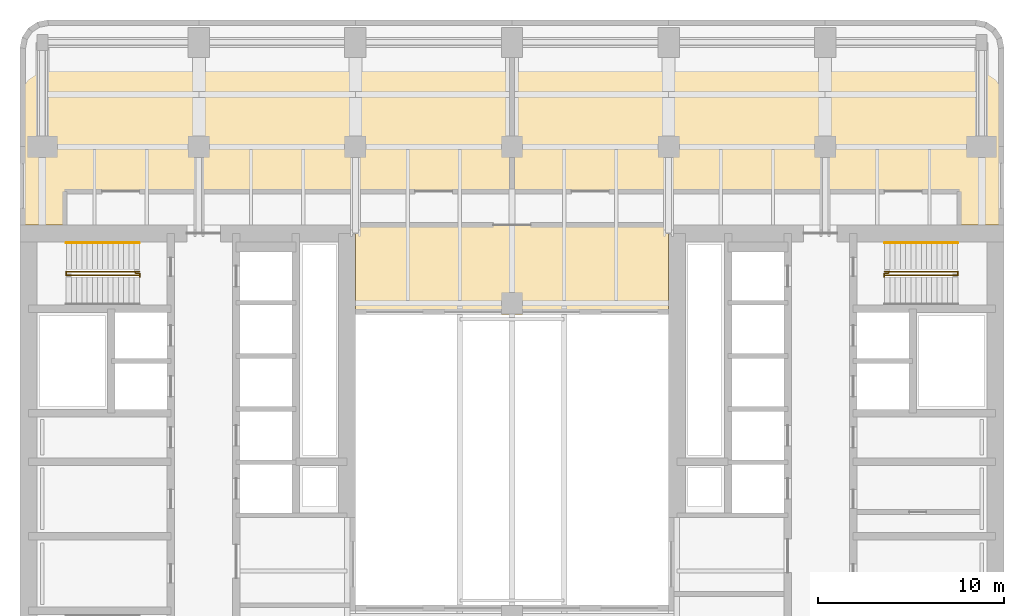
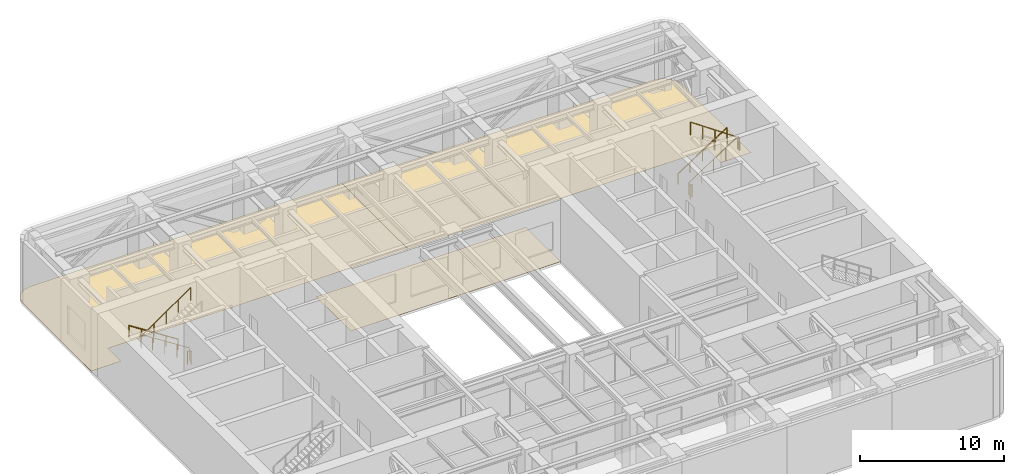
# One storey, part 10 of 10: 6 railings, 3 coverings.
"""IFC4 building model written with IfcOpenShell, lengths in metres."""

from ifc_helpers import new_model, si_unit, direction, frame, origin, origin_2d, place, context, subcontext, project, spatial, polyline, circle, outline, extrude, material, layer, layer_set, type_object, element, save


model = new_model("IFC4")

# Units and contexts
model_context = context("Model", 3, precision=1e-05, world=origin(), true_north=direction((0.0, 1.0)))
body_context = subcontext(model_context, "Body", "Model", "MODEL_VIEW")
ifc_project = project(units=[si_unit("LENGTHUNIT", "METRE"), si_unit("AREAUNIT", "SQUARE_METRE"), si_unit("VOLUMEUNIT", "CUBIC_METRE"), si_unit("PLANEANGLEUNIT", "RADIAN"), si_unit("MASSUNIT", "GRAM", prefix="KILO")], contexts=[model_context])

# Site, building, storey
site_placement = place(None, origin())
site = spatial("IfcSite", under=ifc_project, at=site_placement, CompositionType="ELEMENT")
building_placement = place(site_placement, origin())
building = spatial("IfcBuilding", under=site, at=building_placement, Name="Claustro Exchange Tower", CompositionType="ELEMENT")
storey_placement = place(building_placement, frame((0.0, 0.0, 168.0)))
storey = spatial("IfcBuildingStorey", under=building, at=storey_placement, Name="L38", CompositionType="ELEMENT", Elevation=168.0)

# Coverings
ifc_material_1 = material(Name="Epoxy resin floor finish", Category="resin")
ifc_layer = layer(ifc_material_1, 0.006103515625)
ifc_layer_set = layer_set([ifc_layer], Name="Epoxy resin floor finish")
covering_type = type_object("IfcCoveringType", Name="FL2 resin plant room floor", PredefinedType="FLOORING", material=ifc_layer_set)
covering_1_placement = place(storey_placement, origin())
element("IfcCovering", 1, at=covering_1_placement, inside=storey, type_object=covering_type, Name="Resin floor FL2 L38-08", PredefinedType="FLOORING", context=body_context, shape_type="SweptSolid", body=[
    extrude(outline(polyline([(33.60009765625, 33.0), (33.60009765625, 37.800048828125), (16.800048828125, 37.800048828125), (16.800048828125, 33.0), (33.60009765625, 33.0)])), origin(), (0.0, 0.0, 1.0), 0.006103515625),
])
covering_2_placement = place(storey_placement, origin())
element("IfcCovering", 2, at=covering_2_placement, inside=storey, type_object=covering_type, Name="Resin floor FL2 L38-10", PredefinedType="FLOORING", context=body_context, shape_type="SweptSolid", body=[
    extrude(outline(polyline([(-1.199951171875, 47.300048828125), (-1.199951171875, 37.800048828125), (1.199951171875, 37.800048828125), (1.199951171875, 39.60009765625), (25.199951171875, 39.60009765625), (25.199951171875, 48.800048828125), (0.300048828125, 48.800048828125), (-0.27392578125, 48.685791015625), (-0.7607421875, 48.360595703125), (-1.085693359375, 47.8740234375), (-1.199951171875, 47.300048828125)])), origin(), (0.0, 0.0, 1.0), 0.006103515625),
])
covering_3_placement = place(storey_placement, origin())
element("IfcCovering", 3, at=covering_3_placement, inside=storey, type_object=covering_type, Name="Resin floor FL2 L38-11", PredefinedType="FLOORING", context=body_context, shape_type="SweptSolid", body=[
    extrude(outline(polyline([(50.10009765625, 48.800048828125), (25.199951171875, 48.800048828125), (25.199951171875, 39.60009765625), (49.199951171875, 39.60009765625), (49.199951171875, 37.800048828125), (51.60009765625, 37.800048828125), (51.60009765625, 47.300048828125), (51.48583984375, 47.8740234375), (51.16064453125, 48.360595703125), (50.674072265625, 48.685791015625), (50.10009765625, 48.800048828125)])), origin(), (0.0, 0.0, 1.0), 0.006103515625),
])

# Railings
ifc_material_2 = material(Name="Steel balustrade, painted", Category="steel")
railing_type_1 = type_object("IfcRailingType", Name="GR2 1100 steel stair guard", PredefinedType="GUARDRAIL", material=ifc_material_2)
railing_1_placement = place(storey_placement, frame((5.199951171875, 35.300048828125, 0.179931640625)))
element("IfcRailing", 4, at=railing_1_placement, inside=storey, type_object=railing_type_1, Name="Stair well guard GR2 stair STWB L38", PredefinedType="GUARDRAIL", context=body_context, shape_type="SweptSolid", body=[
    extrude(circle(Radius=0.02392578125, at=origin_2d()), frame((0.0, 0.0, 1.076171875), z_axis=(-0.841171666519, 0.0, 0.540768182723), x_axis=(0.0, -1.0, 0.0)), (0.0, 0.0, 1.0), 4.66015625),
    extrude(circle(Radius=0.02392578125, at=origin_2d()), frame((-3.919921875, 0.0, 3.59619140625), z_axis=(0.0, -1.0, 0.0), x_axis=(1.0, 0.0, 0.0)), (0.0, 0.0, 1.0), 0.199951171875),
    extrude(circle(Radius=0.02392578125, at=origin_2d()), frame((-3.919921875, -0.199951171875, 3.59619140625), z_axis=(0.823550731654, 0.0, 0.567242622158), x_axis=(0.0, 1.0, 0.0)), (0.0, 0.0, 1.0), 4.759765625),
    extrude(circle(Radius=0.02099609375, at=origin_2d()), origin(), (0.0, 0.0, 1.0), 1.052001953125),
    extrude(circle(Radius=0.02099609375, at=origin_2d()), frame((-0.97998046875, 0.0, 0.6298828125)), (0.0, 0.0, 1.0), 1.052001953125),
    extrude(circle(Radius=0.02099609375, at=origin_2d()), frame((-1.9599609375, 0.0, 1.260009765625)), (0.0, 0.0, 1.0), 1.052001953125),
    extrude(circle(Radius=0.02099609375, at=origin_2d()), frame((-2.93994140625, 0.0, 1.89013671875)), (0.0, 0.0, 1.0), 1.052001953125),
    extrude(circle(Radius=0.02099609375, at=origin_2d()), frame((-3.919921875, 0.0, 2.52001953125)), (0.0, 0.0, 1.0), 1.052001953125),
    extrude(circle(Radius=0.02099609375, at=origin_2d()), frame((-3.919921875, -0.199951171875, 2.52001953125)), (0.0, 0.0, 1.0), 1.052001953125),
    extrude(circle(Radius=0.02099609375, at=origin_2d()), frame((-2.93994140625, -0.199951171875, 3.195068359375)), (0.0, 0.0, 1.0), 1.052001953125),
    extrude(circle(Radius=0.02099609375, at=origin_2d()), frame((-1.9599609375, -0.199951171875, 3.8701171875)), (0.0, 0.0, 1.0), 1.052001953125),
    extrude(circle(Radius=0.02099609375, at=origin_2d()), frame((-0.97998046875, -0.199951171875, 4.544921875)), (0.0, 0.0, 1.0), 1.052001953125),
    extrude(circle(Radius=0.02099609375, at=origin_2d()), frame((0.0, -0.199951171875, 5.219970703125)), (0.0, 0.0, 1.0), 1.052001953125),
])
railing_2_placement = place(storey_placement, frame((5.0, 35.22998046875, 0.0)))
element("IfcRailing", 5, at=railing_2_placement, inside=storey, type_object=railing_type_1, Name="Stair guard GR2 STWB L38", PredefinedType="GUARDRAIL", context=body_context, shape_type="SweptSolid", body=[
    extrude(circle(Radius=0.02392578125, at=origin_2d()), frame((0.0, 0.0, 1.076171875), z_axis=(0.0, -1.0, 0.0), x_axis=(1.0, 0.0, 0.0)), (0.0, 0.0, 1.0), 0.030029296875),
    extrude(circle(Radius=0.02392578125, at=origin_2d()), frame((0.0, -0.030029296875, 1.076171875), z_axis=(1.0, 0.0, 0.0), x_axis=(0.0, 1.0, 0.0)), (0.0, 0.0, 1.0), 0.22509765625),
    extrude(circle(Radius=0.02392578125, at=origin_2d()), frame((0.22509765625, -0.030029296875, 1.076171875), z_axis=(0.0, -1.0, 0.0), x_axis=(1.0, 0.0, 0.0)), (0.0, 0.0, 1.0), 0.179931640625),
    extrude(circle(Radius=0.02099609375, at=origin_2d()), origin(), (0.0, 0.0, 1.0), 1.052001953125),
    extrude(circle(Radius=0.02099609375, at=origin_2d()), frame((0.0, -0.030029296875, 0.0)), (0.0, 0.0, 1.0), 1.052001953125),
    extrude(circle(Radius=0.02099609375, at=origin_2d()), frame((0.22509765625, -0.030029296875, 0.0)), (0.0, 0.0, 1.0), 1.052001953125),
    extrude(circle(Radius=0.02099609375, at=origin_2d()), frame((0.22509765625, -0.2099609375, 0.0)), (0.0, 0.0, 1.0), 1.052001953125),
])
railing_3_placement = place(storey_placement, frame((45.199951171875, 35.300048828125, 0.179931640625)))
element("IfcRailing", 6, at=railing_3_placement, inside=storey, type_object=railing_type_1, Name="Stair well guard GR2 stair STEB L38", PredefinedType="GUARDRAIL", context=body_context, shape_type="SweptSolid", body=[
    extrude(circle(Radius=0.02392578125, at=origin_2d()), frame((0.0, 0.0, 1.076171875), z_axis=(0.841186985886, 0.0, 0.540744352514), x_axis=(0.0, 1.0, 0.0)), (0.0, 0.0, 1.0), 4.660400390625),
    extrude(circle(Radius=0.02392578125, at=origin_2d()), frame((3.920166015625, 0.0, 3.59619140625), z_axis=(0.0, -1.0, 0.0), x_axis=(1.0, 0.0, 0.0)), (0.0, 0.0, 1.0), 0.199951171875),
    extrude(circle(Radius=0.02392578125, at=origin_2d()), frame((3.920166015625, -0.199951171875, 3.59619140625), z_axis=(-0.823567234665, 0.0, 0.567218661528), x_axis=(0.0, -1.0, 0.0)), (0.0, 0.0, 1.0), 4.760009765625),
    extrude(circle(Radius=0.02099609375, at=origin_2d()), origin(), (0.0, 0.0, 1.0), 1.052001953125),
    extrude(circle(Radius=0.02099609375, at=origin_2d()), frame((0.97998046875, 0.0, 0.6298828125)), (0.0, 0.0, 1.0), 1.052001953125),
    extrude(circle(Radius=0.02099609375, at=origin_2d()), frame((1.9599609375, 0.0, 1.260009765625)), (0.0, 0.0, 1.0), 1.052001953125),
    extrude(circle(Radius=0.02099609375, at=origin_2d()), frame((2.940185546875, 0.0, 1.89013671875)), (0.0, 0.0, 1.0), 1.052001953125),
    extrude(circle(Radius=0.02099609375, at=origin_2d()), frame((3.920166015625, 0.0, 2.52001953125)), (0.0, 0.0, 1.0), 1.052001953125),
    extrude(circle(Radius=0.02099609375, at=origin_2d()), frame((3.920166015625, -0.199951171875, 2.52001953125)), (0.0, 0.0, 1.0), 1.052001953125),
    extrude(circle(Radius=0.02099609375, at=origin_2d()), frame((2.940185546875, -0.199951171875, 3.195068359375)), (0.0, 0.0, 1.0), 1.052001953125),
    extrude(circle(Radius=0.02099609375, at=origin_2d()), frame((1.9599609375, -0.199951171875, 3.8701171875)), (0.0, 0.0, 1.0), 1.052001953125),
    extrude(circle(Radius=0.02099609375, at=origin_2d()), frame((0.97998046875, -0.199951171875, 4.544921875)), (0.0, 0.0, 1.0), 1.052001953125),
    extrude(circle(Radius=0.02099609375, at=origin_2d()), frame((0.0, -0.199951171875, 5.219970703125)), (0.0, 0.0, 1.0), 1.052001953125),
])
railing_4_placement = place(storey_placement, frame((45.39990234375, 35.22998046875, 0.0)))
element("IfcRailing", 7, at=railing_4_placement, inside=storey, type_object=railing_type_1, Name="Stair guard GR2 STEB L38", PredefinedType="GUARDRAIL", context=body_context, shape_type="SweptSolid", body=[
    extrude(circle(Radius=0.02392578125, at=origin_2d()), frame((0.0, 0.0, 1.076171875), z_axis=(0.0, -1.0, 0.0), x_axis=(1.0, 0.0, 0.0)), (0.0, 0.0, 1.0), 0.030029296875),
    extrude(circle(Radius=0.02392578125, at=origin_2d()), frame((0.0, -0.030029296875, 1.076171875), z_axis=(-1.0, 0.0, 0.0), x_axis=(0.0, -1.0, 0.0)), (0.0, 0.0, 1.0), 0.224853515625),
    extrude(circle(Radius=0.02392578125, at=origin_2d()), frame((-0.224853515625, -0.030029296875, 1.076171875), z_axis=(0.0, -1.0, 0.0), x_axis=(1.0, 0.0, 0.0)), (0.0, 0.0, 1.0), 0.179931640625),
    extrude(circle(Radius=0.02099609375, at=origin_2d()), origin(), (0.0, 0.0, 1.0), 1.052001953125),
    extrude(circle(Radius=0.02099609375, at=origin_2d()), frame((0.0, -0.030029296875, 0.0)), (0.0, 0.0, 1.0), 1.052001953125),
    extrude(circle(Radius=0.02099609375, at=origin_2d()), frame((-0.224853515625, -0.030029296875, 0.0)), (0.0, 0.0, 1.0), 1.052001953125),
    extrude(circle(Radius=0.02099609375, at=origin_2d()), frame((-0.224853515625, -0.2099609375, 0.0)), (0.0, 0.0, 1.0), 1.052001953125),
])
ifc_material_3 = material(Name="Stainless steel tube", Category="steel")
railing_type_2 = type_object("IfcRailingType", Name="HR1 900 stair handrail", PredefinedType="HANDRAIL", material=ifc_material_3)
railing_5_placement = place(storey_placement, frame((5.199951171875, 36.840087890625, 0.179931640625)))
element("IfcRailing", 8, at=railing_5_placement, inside=storey, type_object=railing_type_2, Name="Handrail HR1 stair STWB L38", PredefinedType="HANDRAIL", context=body_context, shape_type="SweptSolid", body=[
    extrude(circle(Radius=0.02392578125, at=origin_2d()), frame((0.0, 0.0, 0.8759765625), z_axis=(-0.841171666519, 0.0, 0.540768182723), x_axis=(0.0, -1.0, 0.0)), (0.0, 0.0, 1.0), 4.66015625),
    extrude(circle(Radius=0.02099609375, at=origin_2d()), origin(), (0.0, 0.0, 1.0), 0.851806640625),
    extrude(circle(Radius=0.02099609375, at=origin_2d()), frame((-0.97998046875, 0.0, 0.6298828125)), (0.0, 0.0, 1.0), 0.851806640625),
    extrude(circle(Radius=0.02099609375, at=origin_2d()), frame((-1.9599609375, 0.0, 1.260009765625)), (0.0, 0.0, 1.0), 0.851806640625),
    extrude(circle(Radius=0.02099609375, at=origin_2d()), frame((-2.93994140625, 0.0, 1.89013671875)), (0.0, 0.0, 1.0), 0.851806640625),
    extrude(circle(Radius=0.02099609375, at=origin_2d()), frame((-3.919921875, 0.0, 2.52001953125)), (0.0, 0.0, 1.0), 0.851806640625),
])
railing_6_placement = place(storey_placement, frame((45.199951171875, 36.840087890625, 0.179931640625)))
element("IfcRailing", 9, at=railing_6_placement, inside=storey, type_object=railing_type_2, Name="Handrail HR1 stair STEB L38", PredefinedType="HANDRAIL", context=body_context, shape_type="SweptSolid", body=[
    extrude(circle(Radius=0.02392578125, at=origin_2d()), frame((0.0, 0.0, 0.8759765625), z_axis=(0.841186985886, 0.0, 0.540744352514), x_axis=(0.0, 1.0, 0.0)), (0.0, 0.0, 1.0), 4.660400390625),
    extrude(circle(Radius=0.02099609375, at=origin_2d()), origin(), (0.0, 0.0, 1.0), 0.851806640625),
    extrude(circle(Radius=0.02099609375, at=origin_2d()), frame((0.97998046875, 0.0, 0.6298828125)), (0.0, 0.0, 1.0), 0.851806640625),
    extrude(circle(Radius=0.02099609375, at=origin_2d()), frame((1.9599609375, 0.0, 1.260009765625)), (0.0, 0.0, 1.0), 0.851806640625),
    extrude(circle(Radius=0.02099609375, at=origin_2d()), frame((2.940185546875, 0.0, 1.89013671875)), (0.0, 0.0, 1.0), 0.851806640625),
    extrude(circle(Radius=0.02099609375, at=origin_2d()), frame((3.920166015625, 0.0, 2.52001953125)), (0.0, 0.0, 1.0), 0.851806640625),
])

save(model, "model.ifc")
